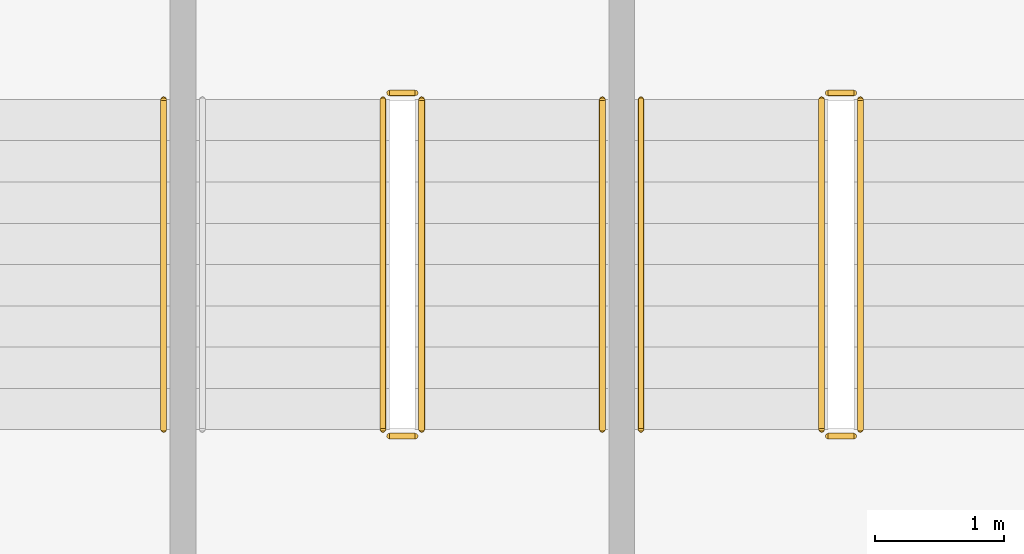
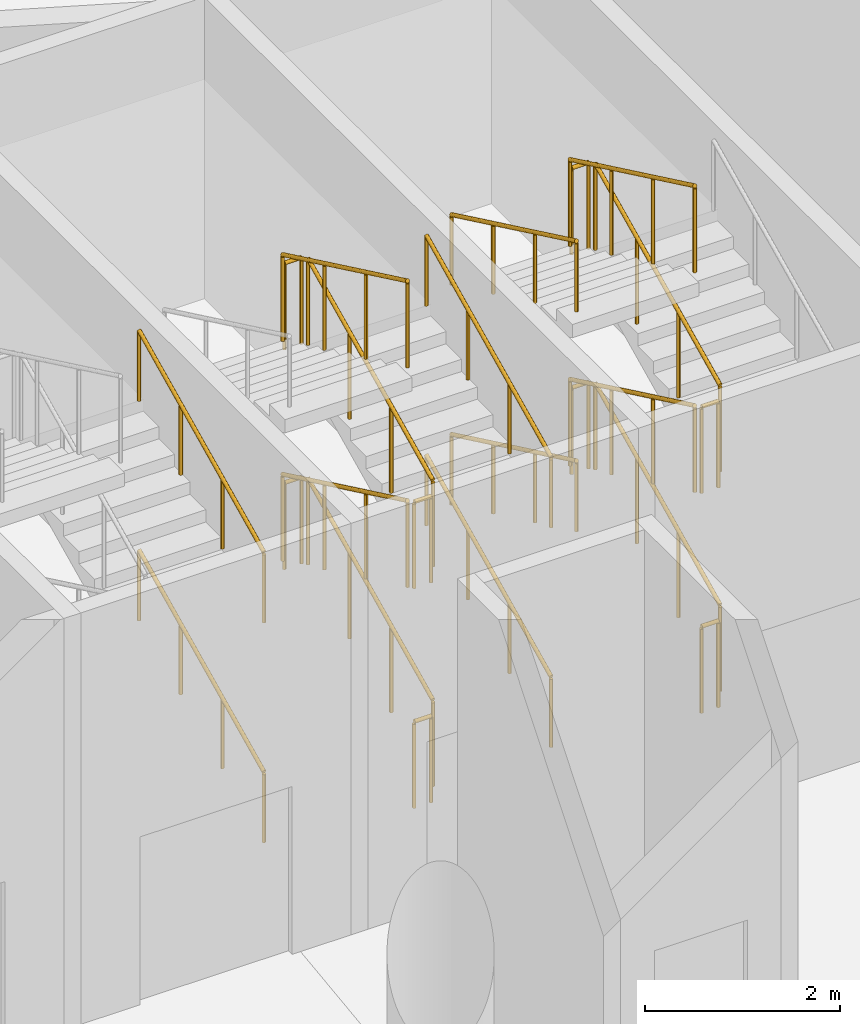
# One storey, part 260 of 271: 22 railings.
"""IFC4 building model written with IfcOpenShell, lengths in metres."""

from ifc_helpers import new_model, si_unit, direction, frame, origin, origin_2d, place, context, subcontext, project, spatial, circle, extrude, material, type_object, element, save


model = new_model("IFC4")

# Units and contexts
model_context = context("Model", 3, precision=1e-05, world=origin(), true_north=direction((0.0, 1.0)))
body_context = subcontext(model_context, "Body", "Model", "MODEL_VIEW")
ifc_project = project(units=[si_unit("LENGTHUNIT", "METRE"), si_unit("AREAUNIT", "SQUARE_METRE"), si_unit("VOLUMEUNIT", "CUBIC_METRE"), si_unit("PLANEANGLEUNIT", "RADIAN"), si_unit("MASSUNIT", "GRAM", prefix="KILO")], contexts=[model_context])

# Site, building, storey
site_placement = place(None, origin())
site = spatial("IfcSite", under=ifc_project, at=site_placement, CompositionType="ELEMENT")
building_placement = place(site_placement, origin())
building = spatial("IfcBuilding", under=site, at=building_placement, Name="Meseta Stadium", CompositionType="ELEMENT")
storey_placement = place(building_placement, frame((0.0, 0.0, 6.5)))
storey = spatial("IfcBuildingStorey", under=building, at=storey_placement, Name="L01", CompositionType="ELEMENT", Elevation=6.5)

# Railings
ifc_material_1 = material(Name="Steel S355", Category="steel")
railing_type_1 = type_object("IfcRailingType", Name="Stair guard 1100", PredefinedType="GUARDRAIL", material=ifc_material_1)
railing_1_placement = place(storey_placement, frame((12.916748046875, 94.89990234375, 0.15283203125)))
element("IfcRailing", 1, at=railing_1_placement, inside=storey, type_object=railing_type_1, Name="ST37 L01 guard 1", PredefinedType="GUARDRAIL", context=body_context, shape_type="SweptSolid", body=[
    extrude(circle(Radius=0.02392578125, at=origin_2d()), frame((0.0, 0.0, 1.076171875), z_axis=(0.0, 0.902436934422, 0.430821981091), x_axis=(-1.0, 0.0, 0.0)), (0.0, 0.0, 1.0), 2.8369140625),
    extrude(circle(Radius=0.02099609375, at=origin_2d()), origin(), (0.0, 0.0, 1.0), 1.052001953125),
    extrude(circle(Radius=0.02099609375, at=origin_2d()), frame((0.0, 0.853271484375, 0.407470703125)), (0.0, 0.0, 1.0), 1.052001953125),
    extrude(circle(Radius=0.02099609375, at=origin_2d()), frame((0.0, 1.706787109375, 0.814697265625)), (0.0, 0.0, 1.0), 1.052001953125),
    extrude(circle(Radius=0.02099609375, at=origin_2d()), frame((0.0, 2.56005859375, 1.22216796875)), (0.0, 0.0, 1.0), 1.052001953125),
])
railing_2_placement = place(storey_placement, frame((12.86669921875, 97.510009765625, 1.375)))
element("IfcRailing", 2, at=railing_2_placement, inside=storey, type_object=railing_type_1, Name="ST37 L01 guard 2", PredefinedType="GUARDRAIL", context=body_context, shape_type="SweptSolid", body=[
    extrude(circle(Radius=0.02392578125, at=origin_2d()), frame((0.0, 0.0, 1.076171875), z_axis=(-1.0, 0.0, 0.0), x_axis=(0.0, -1.0, 0.0)), (0.0, 0.0, 1.0), 0.199951171875),
    extrude(circle(Radius=0.02099609375, at=origin_2d()), origin(), (0.0, 0.0, 1.0), 1.052001953125),
    extrude(circle(Radius=0.02099609375, at=origin_2d()), frame((-0.199951171875, 0.0, 0.0)), (0.0, 0.0, 1.0), 1.052001953125),
])
railing_3_placement = place(storey_placement, frame((12.61669921875, 97.4599609375, 1.52783203125)))
element("IfcRailing", 3, at=railing_3_placement, inside=storey, type_object=railing_type_1, Name="ST37 L01 guard 3", PredefinedType="GUARDRAIL", context=body_context, shape_type="SweptSolid", body=[
    extrude(circle(Radius=0.02392578125, at=origin_2d()), frame((0.0, 0.0, 1.076171875), z_axis=(0.0, -0.902436934422, 0.430821981091), x_axis=(1.0, 0.0, 0.0)), (0.0, 0.0, 1.0), 2.8369140625),
    extrude(circle(Radius=0.02099609375, at=origin_2d()), origin(), (0.0, 0.0, 1.0), 1.052001953125),
    extrude(circle(Radius=0.02099609375, at=origin_2d()), frame((0.0, -0.853271484375, 0.407470703125)), (0.0, 0.0, 1.0), 1.052001953125),
    extrude(circle(Radius=0.02099609375, at=origin_2d()), frame((0.0, -1.706787109375, 0.814697265625)), (0.0, 0.0, 1.0), 1.052001953125),
    extrude(circle(Radius=0.02099609375, at=origin_2d()), frame((0.0, -2.56005859375, 1.22216796875)), (0.0, 0.0, 1.0), 1.052001953125),
])
railing_4_placement = place(storey_placement, frame((12.86669921875, 94.85009765625, 2.75)))
element("IfcRailing", 4, at=railing_4_placement, inside=storey, type_object=railing_type_1, Name="ST37 L01 guard 4", PredefinedType="GUARDRAIL", context=body_context, shape_type="SweptSolid", body=[
    extrude(circle(Radius=0.02392578125, at=origin_2d()), frame((0.0, 0.0, 1.076171875), z_axis=(-1.0, 0.0, 0.0), x_axis=(0.0, -1.0, 0.0)), (0.0, 0.0, 1.0), 0.199951171875),
    extrude(circle(Radius=0.02099609375, at=origin_2d()), origin(), (0.0, 0.0, 1.0), 1.052001953125),
    extrude(circle(Radius=0.02099609375, at=origin_2d()), frame((-0.199951171875, 0.0, 0.0)), (0.0, 0.0, 1.0), 1.052001953125),
])
railing_5_placement = place(storey_placement, frame((12.916748046875, 94.89990234375, 2.90283203125)))
element("IfcRailing", 5, at=railing_5_placement, inside=storey, type_object=railing_type_1, Name="ST37 L01 guard 5", PredefinedType="GUARDRAIL", context=body_context, shape_type="SweptSolid", body=[
    extrude(circle(Radius=0.02392578125, at=origin_2d()), frame((0.0, 0.0, 1.076171875), z_axis=(0.0, 0.902436934422, 0.430821981091), x_axis=(-1.0, 0.0, 0.0)), (0.0, 0.0, 1.0), 2.8369140625),
    extrude(circle(Radius=0.02099609375, at=origin_2d()), origin(), (0.0, 0.0, 1.0), 1.052001953125),
    extrude(circle(Radius=0.02099609375, at=origin_2d()), frame((0.0, 0.853271484375, 0.407470703125)), (0.0, 0.0, 1.0), 1.052001953125),
    extrude(circle(Radius=0.02099609375, at=origin_2d()), frame((0.0, 1.706787109375, 0.814697265625)), (0.0, 0.0, 1.0), 1.052001953125),
    extrude(circle(Radius=0.02099609375, at=origin_2d()), frame((0.0, 2.56005859375, 1.22216796875)), (0.0, 0.0, 1.0), 1.052001953125),
])
railing_6_placement = place(storey_placement, frame((12.86669921875, 97.510009765625, 4.125)))
element("IfcRailing", 6, at=railing_6_placement, inside=storey, type_object=railing_type_1, Name="ST37 L01 guard 6", PredefinedType="GUARDRAIL", context=body_context, shape_type="SweptSolid", body=[
    extrude(circle(Radius=0.02392578125, at=origin_2d()), frame((0.0, 0.0, 1.076171875), z_axis=(-1.0, 0.0, 0.0), x_axis=(0.0, -1.0, 0.0)), (0.0, 0.0, 1.0), 0.199951171875),
    extrude(circle(Radius=0.02099609375, at=origin_2d()), origin(), (0.0, 0.0, 1.0), 1.052001953125),
    extrude(circle(Radius=0.02099609375, at=origin_2d()), frame((-0.199951171875, 0.0, 0.0)), (0.0, 0.0, 1.0), 1.052001953125),
])
railing_7_placement = place(storey_placement, frame((12.61669921875, 97.4599609375, 4.27783203125)))
element("IfcRailing", 7, at=railing_7_placement, inside=storey, type_object=railing_type_1, Name="ST37 L01 guard 7", PredefinedType="GUARDRAIL", context=body_context, shape_type="SweptSolid", body=[
    extrude(circle(Radius=0.02392578125, at=origin_2d()), frame((0.0, 0.0, 1.076171875), z_axis=(0.0, -0.902436934422, 0.430821981091), x_axis=(1.0, 0.0, 0.0)), (0.0, 0.0, 1.0), 2.8369140625),
    extrude(circle(Radius=0.02099609375, at=origin_2d()), origin(), (0.0, 0.0, 1.0), 1.052001953125),
    extrude(circle(Radius=0.02099609375, at=origin_2d()), frame((0.0, -0.853271484375, 0.407470703125)), (0.0, 0.0, 1.0), 1.052001953125),
    extrude(circle(Radius=0.02099609375, at=origin_2d()), frame((0.0, -1.706787109375, 0.814697265625)), (0.0, 0.0, 1.0), 1.052001953125),
    extrude(circle(Radius=0.02099609375, at=origin_2d()), frame((0.0, -2.56005859375, 1.22216796875)), (0.0, 0.0, 1.0), 1.052001953125),
])
railing_8_placement = place(storey_placement, frame((12.86669921875, 94.85009765625, 0.0)))
element("IfcRailing", 8, at=railing_8_placement, inside=storey, type_object=railing_type_1, Name="ST37 L01 guard 8", PredefinedType="GUARDRAIL", context=body_context, shape_type="SweptSolid", body=[
    extrude(circle(Radius=0.02392578125, at=origin_2d()), frame((0.0, 0.0, 1.076171875), z_axis=(-1.0, 0.0, 0.0), x_axis=(0.0, -1.0, 0.0)), (0.0, 0.0, 1.0), 0.199951171875),
    extrude(circle(Radius=0.02099609375, at=origin_2d()), origin(), (0.0, 0.0, 1.0), 1.052001953125),
    extrude(circle(Radius=0.02099609375, at=origin_2d()), frame((-0.199951171875, 0.0, 0.0)), (0.0, 0.0, 1.0), 1.052001953125),
])
railing_9_placement = place(storey_placement, frame((9.5166015625, 94.89990234375, 0.15283203125)))
element("IfcRailing", 9, at=railing_9_placement, inside=storey, type_object=railing_type_1, Name="ST38 L01 guard 1", PredefinedType="GUARDRAIL", context=body_context, shape_type="SweptSolid", body=[
    extrude(circle(Radius=0.02392578125, at=origin_2d()), frame((0.0, 0.0, 1.076171875), z_axis=(0.0, 0.902436934422, 0.430821981091), x_axis=(-1.0, 0.0, 0.0)), (0.0, 0.0, 1.0), 2.8369140625),
    extrude(circle(Radius=0.02099609375, at=origin_2d()), origin(), (0.0, 0.0, 1.0), 1.052001953125),
    extrude(circle(Radius=0.02099609375, at=origin_2d()), frame((0.0, 0.853271484375, 0.407470703125)), (0.0, 0.0, 1.0), 1.052001953125),
    extrude(circle(Radius=0.02099609375, at=origin_2d()), frame((0.0, 1.706787109375, 0.814697265625)), (0.0, 0.0, 1.0), 1.052001953125),
    extrude(circle(Radius=0.02099609375, at=origin_2d()), frame((0.0, 2.56005859375, 1.22216796875)), (0.0, 0.0, 1.0), 1.052001953125),
])
railing_10_placement = place(storey_placement, frame((9.466552734375, 97.510009765625, 1.375)))
element("IfcRailing", 10, at=railing_10_placement, inside=storey, type_object=railing_type_1, Name="ST38 L01 guard 2", PredefinedType="GUARDRAIL", context=body_context, shape_type="SweptSolid", body=[
    extrude(circle(Radius=0.02392578125, at=origin_2d()), frame((0.0, 0.0, 1.076171875), z_axis=(-1.0, 0.0, 0.0), x_axis=(0.0, -1.0, 0.0)), (0.0, 0.0, 1.0), 0.199951171875),
    extrude(circle(Radius=0.02099609375, at=origin_2d()), origin(), (0.0, 0.0, 1.0), 1.052001953125),
    extrude(circle(Radius=0.02099609375, at=origin_2d()), frame((-0.199951171875, 0.0, 0.0)), (0.0, 0.0, 1.0), 1.052001953125),
])
railing_11_placement = place(storey_placement, frame((9.216552734375, 97.4599609375, 1.52783203125)))
element("IfcRailing", 11, at=railing_11_placement, inside=storey, type_object=railing_type_1, Name="ST38 L01 guard 3", PredefinedType="GUARDRAIL", context=body_context, shape_type="SweptSolid", body=[
    extrude(circle(Radius=0.02392578125, at=origin_2d()), frame((0.0, 0.0, 1.076171875), z_axis=(0.0, -0.902436934422, 0.430821981091), x_axis=(1.0, 0.0, 0.0)), (0.0, 0.0, 1.0), 2.8369140625),
    extrude(circle(Radius=0.02099609375, at=origin_2d()), origin(), (0.0, 0.0, 1.0), 1.052001953125),
    extrude(circle(Radius=0.02099609375, at=origin_2d()), frame((0.0, -0.853271484375, 0.407470703125)), (0.0, 0.0, 1.0), 1.052001953125),
    extrude(circle(Radius=0.02099609375, at=origin_2d()), frame((0.0, -1.706787109375, 0.814697265625)), (0.0, 0.0, 1.0), 1.052001953125),
    extrude(circle(Radius=0.02099609375, at=origin_2d()), frame((0.0, -2.56005859375, 1.22216796875)), (0.0, 0.0, 1.0), 1.052001953125),
])
railing_12_placement = place(storey_placement, frame((9.466552734375, 94.85009765625, 2.75)))
element("IfcRailing", 12, at=railing_12_placement, inside=storey, type_object=railing_type_1, Name="ST38 L01 guard 4", PredefinedType="GUARDRAIL", context=body_context, shape_type="SweptSolid", body=[
    extrude(circle(Radius=0.02392578125, at=origin_2d()), frame((0.0, 0.0, 1.076171875), z_axis=(-1.0, 0.0, 0.0), x_axis=(0.0, -1.0, 0.0)), (0.0, 0.0, 1.0), 0.199951171875),
    extrude(circle(Radius=0.02099609375, at=origin_2d()), origin(), (0.0, 0.0, 1.0), 1.052001953125),
    extrude(circle(Radius=0.02099609375, at=origin_2d()), frame((-0.199951171875, 0.0, 0.0)), (0.0, 0.0, 1.0), 1.052001953125),
])
railing_13_placement = place(storey_placement, frame((9.5166015625, 94.89990234375, 2.90283203125)))
element("IfcRailing", 13, at=railing_13_placement, inside=storey, type_object=railing_type_1, Name="ST38 L01 guard 5", PredefinedType="GUARDRAIL", context=body_context, shape_type="SweptSolid", body=[
    extrude(circle(Radius=0.02392578125, at=origin_2d()), frame((0.0, 0.0, 1.076171875), z_axis=(0.0, 0.902436934422, 0.430821981091), x_axis=(-1.0, 0.0, 0.0)), (0.0, 0.0, 1.0), 2.8369140625),
    extrude(circle(Radius=0.02099609375, at=origin_2d()), origin(), (0.0, 0.0, 1.0), 1.052001953125),
    extrude(circle(Radius=0.02099609375, at=origin_2d()), frame((0.0, 0.853271484375, 0.407470703125)), (0.0, 0.0, 1.0), 1.052001953125),
    extrude(circle(Radius=0.02099609375, at=origin_2d()), frame((0.0, 1.706787109375, 0.814697265625)), (0.0, 0.0, 1.0), 1.052001953125),
    extrude(circle(Radius=0.02099609375, at=origin_2d()), frame((0.0, 2.56005859375, 1.22216796875)), (0.0, 0.0, 1.0), 1.052001953125),
])
railing_14_placement = place(storey_placement, frame((9.466552734375, 97.510009765625, 4.125)))
element("IfcRailing", 14, at=railing_14_placement, inside=storey, type_object=railing_type_1, Name="ST38 L01 guard 6", PredefinedType="GUARDRAIL", context=body_context, shape_type="SweptSolid", body=[
    extrude(circle(Radius=0.02392578125, at=origin_2d()), frame((0.0, 0.0, 1.076171875), z_axis=(-1.0, 0.0, 0.0), x_axis=(0.0, -1.0, 0.0)), (0.0, 0.0, 1.0), 0.199951171875),
    extrude(circle(Radius=0.02099609375, at=origin_2d()), origin(), (0.0, 0.0, 1.0), 1.052001953125),
    extrude(circle(Radius=0.02099609375, at=origin_2d()), frame((-0.199951171875, 0.0, 0.0)), (0.0, 0.0, 1.0), 1.052001953125),
])
railing_15_placement = place(storey_placement, frame((9.216552734375, 97.4599609375, 4.27783203125)))
element("IfcRailing", 15, at=railing_15_placement, inside=storey, type_object=railing_type_1, Name="ST38 L01 guard 7", PredefinedType="GUARDRAIL", context=body_context, shape_type="SweptSolid", body=[
    extrude(circle(Radius=0.02392578125, at=origin_2d()), frame((0.0, 0.0, 1.076171875), z_axis=(0.0, -0.902436934422, 0.430821981091), x_axis=(1.0, 0.0, 0.0)), (0.0, 0.0, 1.0), 2.8369140625),
    extrude(circle(Radius=0.02099609375, at=origin_2d()), origin(), (0.0, 0.0, 1.0), 1.052001953125),
    extrude(circle(Radius=0.02099609375, at=origin_2d()), frame((0.0, -0.853271484375, 0.407470703125)), (0.0, 0.0, 1.0), 1.052001953125),
    extrude(circle(Radius=0.02099609375, at=origin_2d()), frame((0.0, -1.706787109375, 0.814697265625)), (0.0, 0.0, 1.0), 1.052001953125),
    extrude(circle(Radius=0.02099609375, at=origin_2d()), frame((0.0, -2.56005859375, 1.22216796875)), (0.0, 0.0, 1.0), 1.052001953125),
])
railing_16_placement = place(storey_placement, frame((9.466552734375, 94.85009765625, 0.0)))
element("IfcRailing", 16, at=railing_16_placement, inside=storey, type_object=railing_type_1, Name="ST38 L01 guard 8", PredefinedType="GUARDRAIL", context=body_context, shape_type="SweptSolid", body=[
    extrude(circle(Radius=0.02392578125, at=origin_2d()), frame((0.0, 0.0, 1.076171875), z_axis=(-1.0, 0.0, 0.0), x_axis=(0.0, -1.0, 0.0)), (0.0, 0.0, 1.0), 0.199951171875),
    extrude(circle(Radius=0.02099609375, at=origin_2d()), origin(), (0.0, 0.0, 1.0), 1.052001953125),
    extrude(circle(Radius=0.02099609375, at=origin_2d()), frame((-0.199951171875, 0.0, 0.0)), (0.0, 0.0, 1.0), 1.052001953125),
])
ifc_material_2 = material(Name="Steel S355", Category="steel")
railing_type_2 = type_object("IfcRailingType", Name="Stair handrail 900", PredefinedType="HANDRAIL", material=ifc_material_2)
for number, where, name in (
    (17, (11.216552734375, 97.4599609375, 1.52783203125), "ST37 L01 handrail 2"),
    (18, (11.216552734375, 97.4599609375, 4.27783203125), "ST37 L01 handrail 4"),
):
    element("IfcRailing", number, at=place(storey_placement, frame(where)), inside=storey, type_object=railing_type_2, Name=name, PredefinedType="HANDRAIL", context=body_context, shape_type="SweptSolid", body=[
        extrude(circle(Radius=0.02392578125, at=origin_2d()), frame((0.0, 0.0, 0.8759765625), z_axis=(0.0, -0.902436934422, 0.430821981091), x_axis=(1.0, 0.0, 0.0)), (0.0, 0.0, 1.0), 2.8369140625),
        extrude(circle(Radius=0.02099609375, at=origin_2d()), origin(), (0.0, 0.0, 1.0), 0.851806640625),
        extrude(circle(Radius=0.02099609375, at=origin_2d()), frame((0.0, -0.853271484375, 0.407470703125)), (0.0, 0.0, 1.0), 0.851806640625),
        extrude(circle(Radius=0.02099609375, at=origin_2d()), frame((0.0, -1.706787109375, 0.814697265625)), (0.0, 0.0, 1.0), 0.851806640625),
        extrude(circle(Radius=0.02099609375, at=origin_2d()), frame((0.0, -2.56005859375, 1.22216796875)), (0.0, 0.0, 1.0), 0.851806640625),
    ])
for number, where, name in (
    (19, (10.916748046875, 94.89990234375, 0.15283203125), "ST38 L01 handrail 1"),
    (20, (10.916748046875, 94.89990234375, 2.90283203125), "ST38 L01 handrail 3"),
    (21, (7.5166015625, 94.89990234375, 0.15283203125), "ST39 L01 handrail 1"),
    (22, (7.5166015625, 94.89990234375, 2.90283203125), "ST39 L01 handrail 3"),
):
    element("IfcRailing", number, at=place(storey_placement, frame(where)), inside=storey, type_object=railing_type_2, Name=name, PredefinedType="HANDRAIL", context=body_context, shape_type="SweptSolid", body=[
        extrude(circle(Radius=0.02392578125, at=origin_2d()), frame((0.0, 0.0, 0.8759765625), z_axis=(0.0, 0.902436934422, 0.430821981091), x_axis=(-1.0, 0.0, 0.0)), (0.0, 0.0, 1.0), 2.8369140625),
        extrude(circle(Radius=0.02099609375, at=origin_2d()), origin(), (0.0, 0.0, 1.0), 0.851806640625),
        extrude(circle(Radius=0.02099609375, at=origin_2d()), frame((0.0, 0.853271484375, 0.407470703125)), (0.0, 0.0, 1.0), 0.851806640625),
        extrude(circle(Radius=0.02099609375, at=origin_2d()), frame((0.0, 1.706787109375, 0.814697265625)), (0.0, 0.0, 1.0), 0.851806640625),
        extrude(circle(Radius=0.02099609375, at=origin_2d()), frame((0.0, 2.56005859375, 1.22216796875)), (0.0, 0.0, 1.0), 0.851806640625),
    ])

save(model, "model.ifc")
